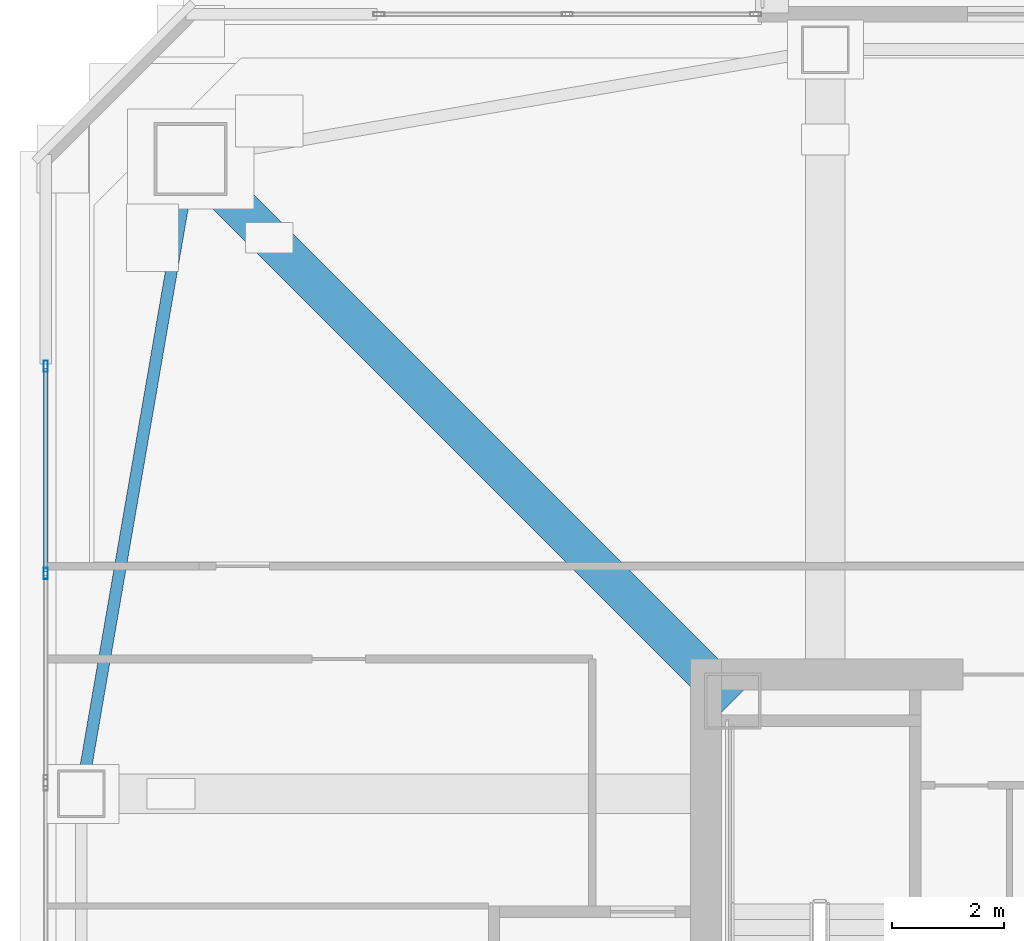
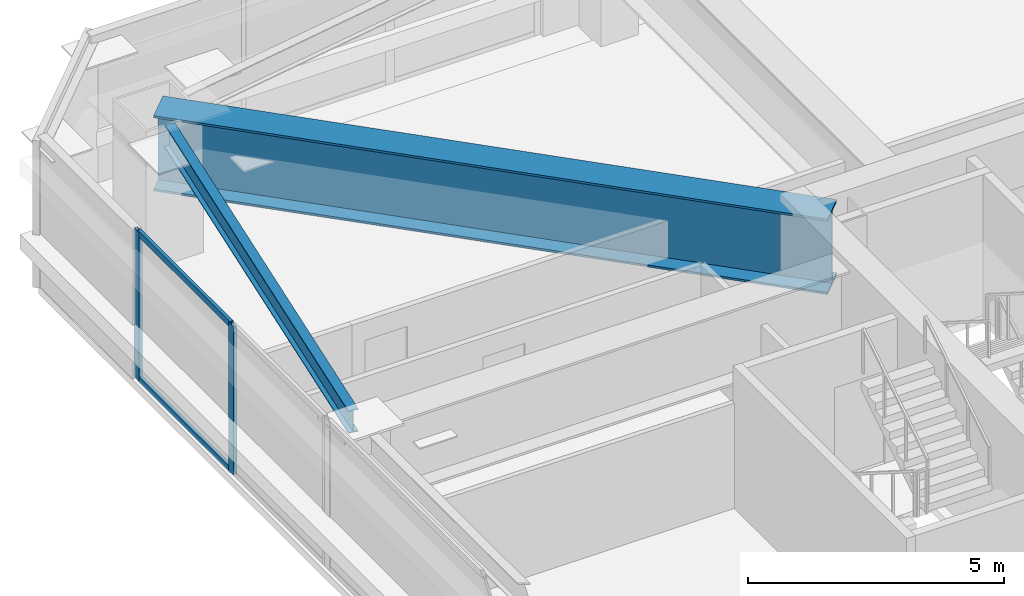
# One storey, part 11 of 42: 4 members, 2 beams, 1 element without a shape of its own.
"""IFC4 building model written with IfcOpenShell, lengths in metres."""

from ifc_helpers import new_model, si_unit, direction, frame, origin, origin_2d, place, context, subcontext, project, spatial, hollow_rectangle, i_section, extrude, material, material_profile, profile_set, type_object, element, aggregate, save


model = new_model("IFC4")

# Units and contexts
model_context = context("Model", 3, precision=1e-05, world=origin(), true_north=direction((0.0, 1.0)))
body_context = subcontext(model_context, "Body", "Model", "MODEL_VIEW")
ifc_project = project(units=[si_unit("LENGTHUNIT", "METRE"), si_unit("AREAUNIT", "SQUARE_METRE"), si_unit("VOLUMEUNIT", "CUBIC_METRE"), si_unit("PLANEANGLEUNIT", "RADIAN"), si_unit("MASSUNIT", "GRAM", prefix="KILO")], contexts=[model_context])

# Site, building, storey
site_placement = place(None, origin())
site = spatial("IfcSite", under=ifc_project, at=site_placement, CompositionType="ELEMENT")
building_placement = place(site_placement, origin())
building = spatial("IfcBuilding", under=site, at=building_placement, Name="Tashvorn Skyway Center", CompositionType="ELEMENT")
storey_placement = place(building_placement, frame((0.0, 0.0, 153.449951171875)))
storey = spatial("IfcBuildingStorey", under=building, at=storey_placement, Name="L41", CompositionType="ELEMENT", Elevation=153.449951171875)

# Beams
ifc_material_1 = material(Name="Steel ASTM A572 Grade 50", Category="steel")
ifc_material_profile_1 = material_profile(ifc_material_1, i_section(OverallWidth=0.699951171875, OverallDepth=1.800048828125, WebThickness=0.031982421875, FlangeThickness=0.050048828125, at=origin_2d()), Name="PG1800x700")
ifc_profile_set_1 = profile_set([ifc_material_profile_1], Name="Steel ASTM A572 Grade 50")
beam_type_1 = type_object("IfcBeamType", Name="BM-BEAM-PG1800x700", PredefinedType="BEAM", material=ifc_profile_set_1)
beam_1_placement = place(storey_placement, frame((25.300048828125, 48.699951171875, 2.469970703125), z_axis=(0.707106781187, -0.707106781187, 0.0), x_axis=(0.707106781187, 0.707106781187, 0.0)))
element("IfcBeam", 1, at=beam_1_placement, inside=storey, type_object=beam_type_1, Name="Tower 1 L41 Setback Transfer Girder MC-NW", PredefinedType="BEAM", context=body_context, shape_type="SweptSolid", body=[
    extrude(i_section(OverallWidth=0.699951171875, OverallDepth=1.800048828125, WebThickness=0.031982421875, FlangeThickness=0.050048828125, at=origin_2d()), origin(), (0.0, 0.0, 1.0), 13.64697265625),
])
ifc_material_2 = material(Name="Steel ASTM A992 Grade 50", Category="steel")
ifc_material_profile_2 = material_profile(ifc_material_2, i_section(OverallWidth=0.2109375, OverallDepth=0.5390625, WebThickness=0.01171875, FlangeThickness=0.018798828125, at=origin_2d()), Name="W21X73")
ifc_profile_set_2 = profile_set([ifc_material_profile_2], Name="Steel ASTM A992 Grade 50")
beam_type_2 = type_object("IfcBeamType", Name="BM-SPANDREL-W21X73", PredefinedType="SPANDREL", material=ifc_profile_set_2)
beam_2_placement = place(storey_placement, frame((25.1904296875, 48.064453125, 3.1005859375), z_axis=(-0.170067250846, -0.985432458462, 0.0), x_axis=(0.985432458462, -0.170067250846, 0.0)))
element("IfcBeam", 2, at=beam_2_placement, inside=storey, type_object=beam_type_2, Name="Tower 1 L41 Spandrel Beam 10", PredefinedType="SPANDREL", context=body_context, shape_type="SweptSolid", body=[
    extrude(i_section(OverallWidth=0.2109375, OverallDepth=0.5390625, WebThickness=0.01171875, FlangeThickness=0.018798828125, at=origin_2d()), origin(), (0.0, 0.0, 1.0), 10.402099609375),
])

# Curtain wall, members
ifc_material_3 = material(Name="Thermally broken bronze-anodized aluminium 6063-T6", Category="aluminium")
curtain_wall_type = type_object("IfcCurtainWallType", Name="CW-CW-Z3", PredefinedType="NOTDEFINED", material=ifc_material_3)
curtain_wall_placement = place(storey_placement, origin())
curtain_wall = element("IfcCurtainWall", 3, at=curtain_wall_placement, inside=storey, type_object=curtain_wall_type, Name="Tower 1 L41 West Unitised Curtain Wall Glazing Group 3", PredefinedType="NOTDEFINED")
ifc_material_profile_3 = material_profile(ifc_material_3, hollow_rectangle(XDim=0.074951171875, YDim=0.199951171875, WallThickness=0.00439453125, at=origin_2d()), Name="ALU-MULL-75x200")
ifc_profile_set_3 = profile_set([ifc_material_profile_3], Name="Thermally broken bronze-anodized aluminium 6063-T6")
member_type_1 = type_object("IfcMemberType", Name="CWM-CW-Z3", PredefinedType="MULLION", material=ifc_profile_set_3)
member_1_placement = place(storey_placement, frame((22.719970703125, 41.322265625, 0.0), z_axis=(0.0, 0.0, 1.0), x_axis=(-1.0, 0.0, 0.0)))
member_1 = element("IfcMember", 4, at=member_1_placement, type_object=member_type_1, Name="CW-Z3 mullion 2", PredefinedType="MULLION", context=body_context, shape_type="SweptSolid", body=[
    extrude(hollow_rectangle(XDim=0.074951171875, YDim=0.199951171875, WallThickness=0.00439453125, at=origin_2d()), origin(), (0.0, 0.0, 1.0), 3.550048828125),
])
member_2_placement = place(storey_placement, frame((22.719970703125, 45.013671875, 0.0), z_axis=(0.0, 0.0, 1.0), x_axis=(-1.0, 0.0, 0.0)))
member_2 = element("IfcMember", 5, at=member_2_placement, type_object=member_type_1, Name="CW-Z3 mullion 3", PredefinedType="MULLION", context=body_context, shape_type="SweptSolid", body=[
    extrude(hollow_rectangle(XDim=0.074951171875, YDim=0.199951171875, WallThickness=0.00439453125, at=origin_2d()), origin(), (0.0, 0.0, 1.0), 3.550048828125),
])
ifc_material_profile_4 = material_profile(ifc_material_3, hollow_rectangle(XDim=0.074951171875, YDim=0.139892578125, WallThickness=0.004150390625, at=origin_2d()), Name="ALU-TRAN-75x140")
ifc_profile_set_4 = profile_set([ifc_material_profile_4], Name="Thermally broken bronze-anodized aluminium 6063-T6")
member_type_2 = type_object("IfcMemberType", Name="CWT-CW-Z3", PredefinedType="USERDEFINED", material=ifc_profile_set_4)
member_3_placement = place(storey_placement, frame((22.719970703125, 41.359619140625, 0.03759765625), z_axis=(0.0, 1.0, 0.0), x_axis=(-1.0, 0.0, 0.0)))
member_3 = element("IfcMember", 6, at=member_3_placement, type_object=member_type_2, Name="CW-Z3 transom 2.1", ObjectType="TRANSOM", PredefinedType="USERDEFINED", context=body_context, shape_type="SweptSolid", body=[
    extrude(hollow_rectangle(XDim=0.074951171875, YDim=0.139892578125, WallThickness=0.004150390625, at=origin_2d()), origin(), (0.0, 0.0, 1.0), 3.616455078125),
])
member_4_placement = place(storey_placement, frame((22.719970703125, 41.359619140625, 3.512451171875), z_axis=(0.0, 1.0, 0.0), x_axis=(-1.0, 0.0, 0.0)))
member_4 = element("IfcMember", 7, at=member_4_placement, type_object=member_type_2, Name="CW-Z3 transom 2.2", ObjectType="TRANSOM", PredefinedType="USERDEFINED", context=body_context, shape_type="SweptSolid", body=[
    extrude(hollow_rectangle(XDim=0.074951171875, YDim=0.139892578125, WallThickness=0.004150390625, at=origin_2d()), origin(), (0.0, 0.0, 1.0), 3.616455078125),
])
aggregate(curtain_wall, [member_1, member_2, member_3, member_4])

save(model, "model.ifc")
